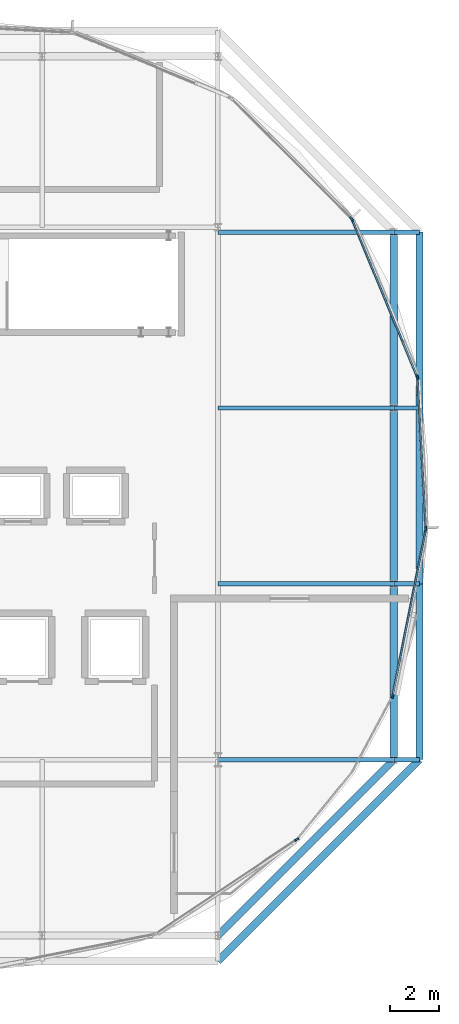
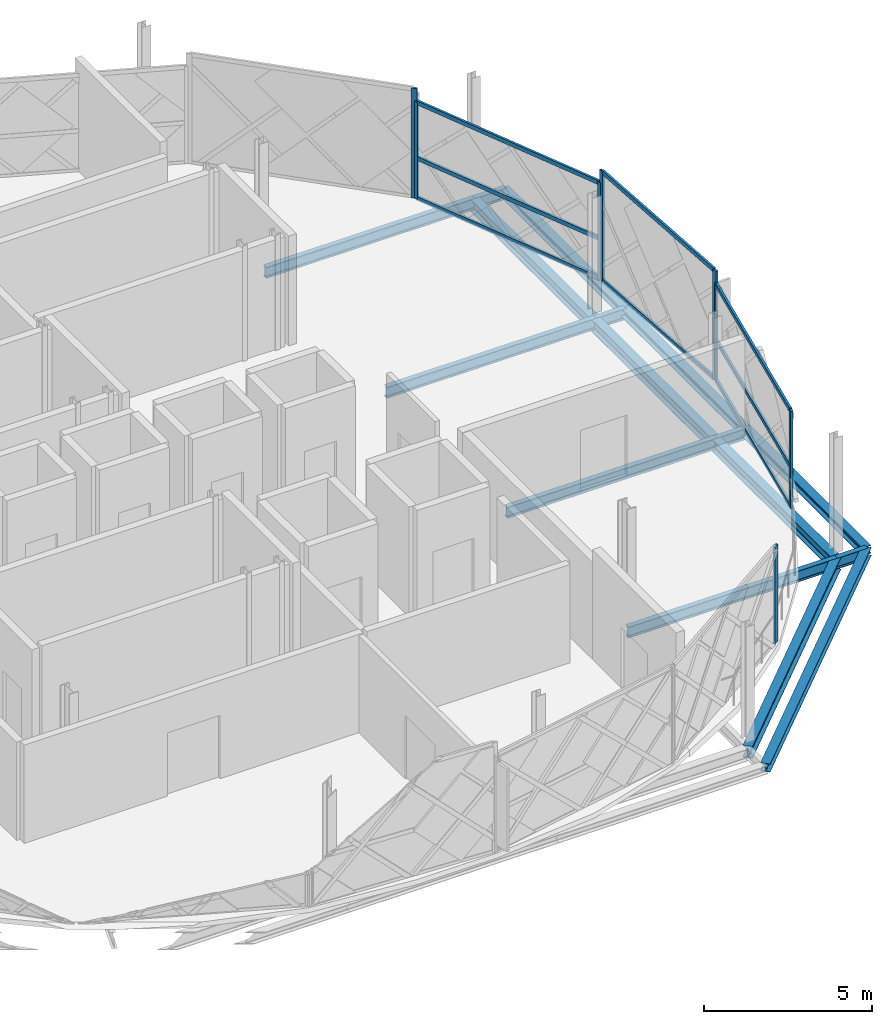
# One storey, part 7 of 15: 16 beams, 16 members, 5 elements without a shape of their own.
"""IFC4 building model written with IfcOpenShell, lengths in metres."""

import ifcopenshell
import ifcopenshell.guid

model = None  # the IFC model being written
_history = None  # IfcOwnerHistory: only IFC2X3 demands one
_inside = {}  # id of a spatial element -> (the spatial element, [elements in it])
_under = {}  # id of a project, library or spatial element -> (it, [spatial elements below it])
_declared = {}  # id of a project -> (the project, [libraries it declares])
_typed = {}  # id of a type object -> (the type object, [elements of that type])
_made_of = {}  # id of a material, layer set ... -> (it, [elements and type objects made of it])


def new_model(schema):
    """Start an empty IFC model of exactly this schema.

    Asked for "IFC4X3", IfcOpenShell would pick the latest addendum, in which some entities
    have other attributes; the version numbers below select the first issue.
    IFC2X3 requires an IfcOwnerHistory on every rooted entity: one is made here for all.
    """
    global model, _history
    if schema == "IFC4X3":
        model = ifcopenshell.file(schema_version=(4, 3, 0, 0))
    else:
        model = ifcopenshell.file(schema=schema)
    _inside.clear()
    _under.clear()
    _declared.clear()
    _typed.clear()
    _made_of.clear()
    _history = None
    if model.schema == "IFC2X3":
        org = make("IfcOrganization", Name="unknown")
        user = make(
            "IfcPersonAndOrganization",
            ThePerson=make("IfcPerson", FamilyName="unknown"),
            TheOrganization=org,
        )
        app = make(
            "IfcApplication",
            ApplicationDeveloper=org,
            Version="unknown",
            ApplicationFullName="unknown",
            ApplicationIdentifier="unknown",
        )
        _history = make(
            "IfcOwnerHistory",
            OwningUser=user,
            OwningApplication=app,
            ChangeAction="ADDED",
            CreationDate=0,
        )
    return model


def make(cls, **values):
    """One entity of the class cls with the attributes given. An attribute that is None is left unset."""
    return model.create_entity(
        cls, **{name: value for name, value in values.items() if value is not None}
    )


def rooted(cls, **values):
    """An entity with a GlobalId (a new one), such as an element, a storey or a relation."""
    return make(cls, GlobalId=ifcopenshell.guid.new(), OwnerHistory=_history, **values)


def si_unit(unit_type, name, prefix=None):
    """IfcSIUnit, for example si_unit("LENGTHUNIT", "METRE", prefix="MILLI")."""
    return make("IfcSIUnit", UnitType=unit_type, Prefix=prefix, Name=name)


def assignment(units):
    """IfcUnitAssignment: the units of a project."""
    return None if units is None else make("IfcUnitAssignment", Units=units)


def point(xyz):
    """IfcCartesianPoint."""
    return None if xyz is None else make("IfcCartesianPoint", Coordinates=xyz)


def direction(xyz):
    """IfcDirection."""
    return None if xyz is None else make("IfcDirection", DirectionRatios=xyz)


def frame(location, z_axis=None, x_axis=None):
    """IfcAxis2Placement3D, a coordinate frame: its origin and axes. An axis left out is left unset."""
    return make(
        "IfcAxis2Placement3D",
        Location=point(location),
        Axis=direction(z_axis),
        RefDirection=direction(x_axis),
    )


def frame_2d(location, x_axis=None):
    """IfcAxis2Placement2D, a coordinate frame in the plane: its origin and x axis."""
    return make(
        "IfcAxis2Placement2D", Location=point(location), RefDirection=direction(x_axis)
    )


def origin():
    """The frame at (0, 0, 0) with its axes left unset."""
    return frame((0.0, 0.0, 0.0))


def origin_2d():
    """The frame at (0, 0) in the plane with its x axis left unset."""
    return frame_2d((0.0, 0.0))


def place(relative_to, where):
    """IfcLocalPlacement: puts the frame where relative to a parent placement (None: the world)."""
    return make(
        "IfcLocalPlacement", PlacementRelTo=relative_to, RelativePlacement=where
    )


def context(
    kind, dimensions, precision=None, world=None, true_north=None, identifier=None
):
    """IfcGeometricRepresentationContext, for example the 3D "Model" context."""
    return make(
        "IfcGeometricRepresentationContext",
        ContextIdentifier=identifier,
        ContextType=kind,
        CoordinateSpaceDimension=dimensions,
        Precision=precision,
        WorldCoordinateSystem=world,
        TrueNorth=true_north,
    )


def subcontext(parent, identifier, kind, view, scale=None):
    """IfcGeometricRepresentationSubContext, for example "Body" below "Model"."""
    return make(
        "IfcGeometricRepresentationSubContext",
        ContextIdentifier=identifier,
        ContextType=kind,
        ParentContext=parent,
        TargetScale=scale,
        TargetView=view,
    )


def project(units=None, contexts=None):
    """IfcProject with its units and contexts."""
    return rooted(
        "IfcProject",
        Name="project",
        RepresentationContexts=contexts,
        UnitsInContext=assignment(units),
    )


def spatial(cls, under=None, at=None, **own):
    """A site, building, storey or space (cls), placed at a placement, below another one or the project."""
    s = rooted(cls, ObjectPlacement=at, **own)
    if under is not None:
        _under.setdefault(under.id(), (under, []))[1].append(s)
    return s


def profile(cls, at=None, kind="AREA", **sizes):
    """A parametric profile (cls). Its sizes go by their IFC names, for example OverallWidth=200.0."""
    return make(cls, ProfileType=kind, Position=at, **sizes)


def rectangle(**sizes):
    """IfcRectangleProfileDef."""
    return profile("IfcRectangleProfileDef", **sizes)


def i_section(**sizes):
    """IfcIShapeProfileDef."""
    return profile("IfcIShapeProfileDef", **sizes)


def extrude(swept, where, along, depth):
    """IfcExtrudedAreaSolid: the profile swept, set in the frame where, extruded along a direction by depth."""
    return make(
        "IfcExtrudedAreaSolid",
        SweptArea=swept,
        Position=where,
        ExtrudedDirection=direction(along),
        Depth=depth,
    )


def shape(context_of_items, identifier, shape_type, items):
    """IfcShapeRepresentation: the items that make up one representation, for example the "Body"."""
    return make(
        "IfcShapeRepresentation",
        ContextOfItems=context_of_items,
        RepresentationIdentifier=identifier,
        RepresentationType=shape_type,
        Items=items,
    )


def material(Name=None, Category=None):
    """IfcMaterial."""
    return make("IfcMaterial", Name=Name, Category=Category)


def layer(
    of_material, thickness, ventilated=None, Name=None, Category=None, Priority=None
):
    """IfcMaterialLayer: one layer of a wall or slab, of a material (None: an air gap)."""
    return make(
        "IfcMaterialLayer",
        Material=of_material,
        LayerThickness=thickness,
        IsVentilated=ventilated,
        Name=Name,
        Category=Category,
        Priority=Priority,
    )


def layer_set(layers, Name=None):
    """IfcMaterialLayerSet."""
    return make("IfcMaterialLayerSet", MaterialLayers=layers, LayerSetName=Name)


def material_profile(
    of_material, cross_section, Name=None, Category=None, Priority=None
):
    """IfcMaterialProfile: a cross section and its material."""
    return make(
        "IfcMaterialProfile",
        Name=Name,
        Material=of_material,
        Profile=cross_section,
        Priority=Priority,
        Category=Category,
    )


def profile_set(profiles, Name=None, composite=None):
    """IfcMaterialProfileSet."""
    return make(
        "IfcMaterialProfileSet",
        Name=Name,
        MaterialProfiles=profiles,
        CompositeProfile=composite,
    )


def made_of(thing, what):
    """Note that an element or type object is made of a material, layer set ...; save() writes the relation."""
    if what is not None:
        _made_of.setdefault(what.id(), (what, []))[1].append(thing)
    return thing


def type_object(cls, material=None, **own):
    """A type object (cls), such as IfcWallType, which elements share."""
    return made_of(rooted(cls, **own), material)


def element(
    cls,
    number,
    at=None,
    inside=None,
    cuts=None,
    type_object=None,
    material=None,
    context=None,
    identifier="Body",
    shape_type=None,
    held_by="IfcProductDefinitionShape",
    body=None,
    shapes=None,
    **own,
):
    """One element of the class cls, such as IfcWall. Its Tag is "e" and its number.

    at: its placement. inside: the storey or other place that contains it. cuts: it is an
    opening in that element (IfcRelVoidsElement). A single representation is given by context,
    identifier, shape_type and body (its items); several are given by shapes. held_by: the class
    of the entity that holds the representations. save() writes the other relations.
    """
    e = rooted(cls, Tag="e%d" % number, ObjectPlacement=at, **own)
    if body is not None:
        shapes = [shape(context, identifier, shape_type, body)]
    if shapes is not None:
        e.Representation = make(held_by, Representations=shapes)
    if inside is not None:
        _inside.setdefault(inside.id(), (inside, []))[1].append(e)
    if cuts is not None:
        rooted(
            "IfcRelVoidsElement", RelatingBuildingElement=cuts, RelatedOpeningElement=e
        )
    if type_object is not None:
        _typed.setdefault(type_object.id(), (type_object, []))[1].append(e)
    return made_of(e, material)


def aggregate(whole, parts):
    """IfcRelAggregates: a whole, such as a stair, and the parts it consists of."""
    return rooted("IfcRelAggregates", RelatingObject=whole, RelatedObjects=parts)


def save(model, path):
    """Write the relations noted so far, then the file.

    IfcRelAggregates (storeys below a building ...), IfcRelContainedInSpatialStructure (elements
    in a storey), IfcRelDefinesByType, IfcRelAssociatesMaterial and IfcRelDeclares: one each for
    every whole, place, type object, material and project.
    """
    for whole, parts in _under.values():
        aggregate(whole, parts)
    for where, things in _inside.values():
        rooted(
            "IfcRelContainedInSpatialStructure",
            RelatedElements=things,
            RelatingStructure=where,
        )
    for kind, things in _typed.values():
        rooted("IfcRelDefinesByType", RelatedObjects=things, RelatingType=kind)
    for what, things in _made_of.values():
        rooted("IfcRelAssociatesMaterial", RelatedObjects=things, RelatingMaterial=what)
    for by, libraries in _declared.values():
        rooted("IfcRelDeclares", RelatingContext=by, RelatedDefinitions=libraries)
    model.write(path)


model = new_model("IFC4")

# Units and contexts
model_context = context("Model", 3, precision=1e-05, world=origin(), true_north=direction((0.0, 1.0)))
body_context = subcontext(model_context, "Body", "Model", "MODEL_VIEW")
ifc_project = project(units=[si_unit("LENGTHUNIT", "METRE"), si_unit("AREAUNIT", "SQUARE_METRE"), si_unit("VOLUMEUNIT", "CUBIC_METRE"), si_unit("PLANEANGLEUNIT", "RADIAN"), si_unit("MASSUNIT", "GRAM", prefix="KILO")], contexts=[model_context])

# Site, building, storey
site_placement = place(None, origin())
site = spatial("IfcSite", under=ifc_project, at=site_placement, CompositionType="ELEMENT")
building_placement = place(site_placement, origin())
building = spatial("IfcBuilding", under=site, at=building_placement, Name="Zevrakil Square Congress Hotel", CompositionType="ELEMENT")
storey_placement = place(building_placement, frame((0.0, 0.0, 41.89990234375)))
storey = spatial("IfcBuildingStorey", under=building, at=storey_placement, Name="L12", CompositionType="ELEMENT", Elevation=41.89990234375)

# Beams
ifc_material_1 = material(Name="Steel S355", Category="steel")
ifc_material_profile_1 = material_profile(ifc_material_1, i_section(OverallWidth=0.300048828125, OverallDepth=0.43994140625, WebThickness=0.011474609375, FlangeThickness=0.02099609375, FilletRadius=0.027099609375, at=origin_2d()), Name="HEA 450")
ifc_profile_set_1 = profile_set([ifc_material_profile_1], Name="Steel S355")
beam_type_1 = type_object("IfcBeamType", Name="BM-HEA450", PredefinedType="BEAM", material=ifc_profile_set_1)
beam_1_placement = place(storey_placement, frame((156.0, 9.60009765625, -0.469970703125), z_axis=(0.707106781187, 0.707106781187, 0.0), x_axis=(-0.707106781187, 0.707106781187, 0.0)))
element("IfcBeam", 1, at=beam_1_placement, inside=storey, type_object=beam_type_1, Name="L12 drum ring girder DRB-04", PredefinedType="BEAM", context=body_context, shape_type="SweptSolid", body=[
    extrude(i_section(OverallWidth=0.300048828125, OverallDepth=0.43994140625, WebThickness=0.011474609375, FlangeThickness=0.02099609375, FilletRadius=0.027099609375, at=origin_2d()), origin(), (0.0, 0.0, 1.0), 10.182373046875),
])
for number, where, z_axis, x_axis, name in (
    (2, (163.199951171875, 16.800048828125, -0.469970703125), (0.0, 1.0, 0.0), (-1.0, 0.0, 0.0), "L12 drum ring girder DRB-05"),
    (3, (163.199951171875, 24.0, -0.469970703125), (0.0, 1.0, 0.0), (-1.0, 0.0, 0.0), "L12 drum ring girder DRB-06"),
    (4, (163.199951171875, 31.199951171875, -0.469970703125), (0.0, 1.0, 0.0), (-1.0, 0.0, 0.0), "L12 drum ring girder DRB-07"),
):
    element("IfcBeam", number, at=place(storey_placement, frame(where, z_axis=z_axis, x_axis=x_axis)), inside=storey, type_object=beam_type_1, Name=name, PredefinedType="BEAM", context=body_context, shape_type="SweptSolid", body=[
        extrude(i_section(OverallWidth=0.300048828125, OverallDepth=0.43994140625, WebThickness=0.011474609375, FlangeThickness=0.02099609375, FilletRadius=0.027099609375, at=origin_2d()), origin(), (0.0, 0.0, 1.0), 7.199951171875),
    ])

# Curtain wall, members
ifc_material_2 = material(Name="Aluminium Anodised Bronze", Category="aluminium")
ifc_layer_1 = layer(ifc_material_2, 0.179931640625)
ifc_layer_set_1 = layer_set([ifc_layer_1], Name="Aluminium Anodised Bronze")
curtain_wall_type_1 = type_object("IfcCurtainWallType", Name="CW-L12-720", PredefinedType="USERDEFINED", material=ifc_layer_set_1)
curtain_wall_1_placement = place(storey_placement, origin())
curtain_wall_1 = element("IfcCurtainWall", 5, at=curtain_wall_1_placement, inside=storey, type_object=curtain_wall_type_1, Name="L12 diamond curtain wall CW-L12-0304", ObjectType="GLAZED CURTAIN WALL", PredefinedType="USERDEFINED")
ifc_material_3 = material(Name="Aluminium Anodised Bronze", Category="aluminium")
ifc_material_profile_2 = material_profile(ifc_material_3, rectangle(XDim=0.074951171875, YDim=0.14990234375, at=origin_2d()), Name="ALU 75x150")
ifc_profile_set_2 = profile_set([ifc_material_profile_2], Name="Aluminium Anodised Bronze")
member_type_1 = type_object("IfcMemberType", Name="CWM-ALU75x150", PredefinedType="USERDEFINED", material=ifc_profile_set_2)
member_1_placement = place(storey_placement, frame((163.156005859375, 19.431640625, 0.030029296875), z_axis=(0.195079615704, 0.98078740996, 0.0), x_axis=(-0.98078740996, 0.195079615704, 0.0)))
member_1 = element("IfcMember", 6, at=member_1_placement, type_object=member_type_1, Name="CW-142 transom 1.1", ObjectType="TRANSOM", PredefinedType="USERDEFINED", context=body_context, shape_type="SweptSolid", body=[
    extrude(rectangle(XDim=0.074951171875, YDim=0.14990234375, at=origin_2d()), origin(), (0.0, 0.0, 1.0), 6.8857421875),
])
member_2_placement = place(storey_placement, frame((163.156005859375, 19.431640625, 1.48681640625), z_axis=(0.195079615704, 0.98078740996, 0.0), x_axis=(-0.98078740996, 0.195079615704, 0.0)))
member_2 = element("IfcMember", 7, at=member_2_placement, type_object=member_type_1, Name="CW-142 transom 1.2", ObjectType="TRANSOM", PredefinedType="USERDEFINED", context=body_context, shape_type="SweptSolid", body=[
    extrude(rectangle(XDim=0.074951171875, YDim=0.14990234375, at=origin_2d()), origin(), (0.0, 0.0, 1.0), 6.8857421875),
])
member_3_placement = place(storey_placement, frame((163.156005859375, 19.431640625, 3.510009765625), z_axis=(0.195079615704, 0.98078740996, 0.0), x_axis=(-0.98078740996, 0.195079615704, 0.0)))
member_3 = element("IfcMember", 8, at=member_3_placement, type_object=member_type_1, Name="CW-142 transom 1.3", ObjectType="TRANSOM", PredefinedType="USERDEFINED", context=body_context, shape_type="SweptSolid", body=[
    extrude(rectangle(XDim=0.074951171875, YDim=0.14990234375, at=origin_2d()), origin(), (0.0, 0.0, 1.0), 6.8857421875),
])

ifc_material_4 = material(Name="Aluminium Anodised Bronze", Category="aluminium")
ifc_layer_2 = layer(ifc_material_4, 0.179931640625)
ifc_layer_set_2 = layer_set([ifc_layer_2], Name="Aluminium Anodised Bronze")
curtain_wall_type_2 = type_object("IfcCurtainWallType", Name="CW-L12-640", PredefinedType="USERDEFINED", material=ifc_layer_set_2)
curtain_wall_2_placement = place(storey_placement, origin())
curtain_wall_2 = element("IfcCurtainWall", 9, at=curtain_wall_2_placement, inside=storey, type_object=curtain_wall_type_2, Name="L12 diamond curtain wall CW-L12-0305", ObjectType="GLAZED CURTAIN WALL", PredefinedType="USERDEFINED")
member_4_placement = place(storey_placement, frame((164.507568359375, 26.303955078125, 0.030029296875), z_axis=(-0.055392491503, 0.998464657304, 0.0), x_axis=(-0.998464657304, -0.055392491503, 0.0)))
member_4 = element("IfcMember", 10, at=member_4_placement, type_object=member_type_1, Name="CW-141 transom 1.1", ObjectType="TRANSOM", PredefinedType="USERDEFINED", context=body_context, shape_type="SweptSolid", body=[
    extrude(rectangle(XDim=0.074951171875, YDim=0.14990234375, at=origin_2d()), origin(), (0.0, 0.0, 1.0), 6.104248046875),
])
member_5_placement = place(storey_placement, frame((164.507568359375, 26.303955078125, 3.965087890625), z_axis=(-0.055392491503, 0.998464657304, 0.0), x_axis=(-0.998464657304, -0.055392491503, 0.0)))
member_5 = element("IfcMember", 11, at=member_5_placement, type_object=member_type_1, Name="CW-141 transom 1.2", ObjectType="TRANSOM", PredefinedType="USERDEFINED", context=body_context, shape_type="SweptSolid", body=[
    extrude(rectangle(XDim=0.074951171875, YDim=0.14990234375, at=origin_2d()), origin(), (0.0, 0.0, 1.0), 6.104248046875),
])

curtain_wall_3_placement = place(storey_placement, origin())
curtain_wall_3 = element("IfcCurtainWall", 12, at=curtain_wall_3_placement, inside=storey, type_object=curtain_wall_type_1, Name="L12 diamond curtain wall CW-L12-0306", ObjectType="GLAZED CURTAIN WALL", PredefinedType="USERDEFINED")
member_6_placement = place(storey_placement, frame((164.14306640625, 32.51416015625, 0.030029296875), z_axis=(-0.38266597044, 0.923886765284, 0.0), x_axis=(-0.923886765284, -0.38266597044, 0.0)))
member_6 = element("IfcMember", 13, at=member_6_placement, type_object=member_type_1, Name="CW-142 transom 1.1", ObjectType="TRANSOM", PredefinedType="USERDEFINED", context=body_context, shape_type="SweptSolid", body=[
    extrude(rectangle(XDim=0.074951171875, YDim=0.14990234375, at=origin_2d()), origin(), (0.0, 0.0, 1.0), 6.885986328125),
])
member_7_placement = place(storey_placement, frame((164.14306640625, 32.51416015625, 1.48681640625), z_axis=(-0.38266597044, 0.923886765284, 0.0), x_axis=(-0.923886765284, -0.38266597044, 0.0)))
member_7 = element("IfcMember", 14, at=member_7_placement, type_object=member_type_1, Name="CW-142 transom 1.2", ObjectType="TRANSOM", PredefinedType="USERDEFINED", context=body_context, shape_type="SweptSolid", body=[
    extrude(rectangle(XDim=0.074951171875, YDim=0.14990234375, at=origin_2d()), origin(), (0.0, 0.0, 1.0), 6.885986328125),
])
member_8_placement = place(storey_placement, frame((164.14306640625, 32.51416015625, 3.510009765625), z_axis=(-0.38266597044, 0.923886765284, 0.0), x_axis=(-0.923886765284, -0.38266597044, 0.0)))
member_8 = element("IfcMember", 15, at=member_8_placement, type_object=member_type_1, Name="CW-142 transom 1.3", ObjectType="TRANSOM", PredefinedType="USERDEFINED", context=body_context, shape_type="SweptSolid", body=[
    extrude(rectangle(XDim=0.074951171875, YDim=0.14990234375, at=origin_2d()), origin(), (0.0, 0.0, 1.0), 6.885986328125),
])

# Curtain wall, member
curtain_wall_4_placement = place(storey_placement, origin())
curtain_wall_4 = element("IfcCurtainWall", 16, at=curtain_wall_4_placement, inside=storey, type_object=curtain_wall_type_1, Name="L12 diamond curtain wall CW-L12-0303", ObjectType="GLAZED CURTAIN WALL", PredefinedType="USERDEFINED")
ifc_material_5 = material(Name="Aluminium Anodised Bronze", Category="aluminium")
ifc_material_profile_3 = material_profile(ifc_material_5, rectangle(XDim=0.074951171875, YDim=0.179931640625, at=origin_2d()), Name="ALU 75x180")
ifc_profile_set_3 = profile_set([ifc_material_profile_3], Name="Aluminium Anodised Bronze")
member_type_2 = type_object("IfcMemberType", Name="CWM-ALU75x180", PredefinedType="MULLION", material=ifc_profile_set_3)
member_9_placement = place(storey_placement, frame((159.22705078125, 13.53125, 0.0), z_axis=(0.0, 0.0, 1.0), x_axis=(-0.555576098128, 0.831465693332, 0.0)))
member_9 = element("IfcMember", 17, at=member_9_placement, type_object=member_type_2, Name="CW-142 mullion 2", PredefinedType="MULLION", context=body_context, shape_type="SweptSolid", body=[
    extrude(rectangle(XDim=0.074951171875, YDim=0.179931640625, at=origin_2d()), origin(), (0.0, 0.0, 1.0), 3.5400390625),
])
aggregate(curtain_wall_4, [member_9])

# Member
member_10_placement = place(storey_placement, frame((163.150146484375, 19.40234375, 0.0), z_axis=(0.0, 0.0, 1.0), x_axis=(-0.980786557708, 0.195083900459, 0.0)))
member_10 = element("IfcMember", 18, at=member_10_placement, type_object=member_type_2, Name="CW-142 mullion 1", PredefinedType="MULLION", context=body_context, shape_type="SweptSolid", body=[
    extrude(rectangle(XDim=0.074951171875, YDim=0.179931640625, at=origin_2d()), origin(), (0.0, 0.0, 1.0), 3.5400390625),
])

member_11_placement = place(storey_placement, frame((164.505126953125, 26.214599609375, 0.0), z_axis=(0.0, 0.0, 1.0), x_axis=(-0.980786557708, 0.195083900459, 0.0)))
member_11 = element("IfcMember", 19, at=member_11_placement, type_object=member_type_2, Name="CW-142 mullion 2", PredefinedType="MULLION", context=body_context, shape_type="SweptSolid", body=[
    extrude(rectangle(XDim=0.074951171875, YDim=0.179931640625, at=origin_2d()), origin(), (0.0, 0.0, 1.0), 3.5400390625),
])

aggregate(curtain_wall_1, [member_10, member_11, member_1, member_2, member_3])

member_12_placement = place(storey_placement, frame((164.50927734375, 26.27392578125, 0.0), z_axis=(0.0, 0.0, 1.0), x_axis=(-0.998462725099, -0.055427309038, 0.0)))
member_12 = element("IfcMember", 20, at=member_12_placement, type_object=member_type_2, Name="CW-141 mullion 1", PredefinedType="MULLION", context=body_context, shape_type="SweptSolid", body=[
    extrude(rectangle(XDim=0.074951171875, YDim=0.179931640625, at=origin_2d()), origin(), (0.0, 0.0, 1.0), 3.9951171875),
])

member_13_placement = place(storey_placement, frame((164.167724609375, 32.428955078125, 0.0), z_axis=(0.0, 0.0, 1.0), x_axis=(-0.998462725099, -0.055427309038, 0.0)))
member_13 = element("IfcMember", 21, at=member_13_placement, type_object=member_type_2, Name="CW-141 mullion 2", PredefinedType="MULLION", context=body_context, shape_type="SweptSolid", body=[
    extrude(rectangle(XDim=0.074951171875, YDim=0.179931640625, at=origin_2d()), origin(), (0.0, 0.0, 1.0), 3.9951171875),
])

aggregate(curtain_wall_2, [member_12, member_13, member_4, member_5])

member_14_placement = place(storey_placement, frame((164.154541015625, 32.486572265625, 0.0), z_axis=(0.0, 0.0, 1.0), x_axis=(-0.92387939537, -0.382683763454, 0.0)))
member_14 = element("IfcMember", 22, at=member_14_placement, type_object=member_type_2, Name="CW-142 mullion 1", PredefinedType="MULLION", context=body_context, shape_type="SweptSolid", body=[
    extrude(rectangle(XDim=0.074951171875, YDim=0.179931640625, at=origin_2d()), origin(), (0.0, 0.0, 1.0), 3.5400390625),
])

member_15_placement = place(storey_placement, frame((161.49658203125, 38.903564453125, 0.0), z_axis=(0.0, 0.0, 1.0), x_axis=(-0.92387939537, -0.382683763454, 0.0)))
member_15 = element("IfcMember", 23, at=member_15_placement, type_object=member_type_2, Name="CW-142 mullion 2", PredefinedType="MULLION", context=body_context, shape_type="SweptSolid", body=[
    extrude(rectangle(XDim=0.074951171875, YDim=0.179931640625, at=origin_2d()), origin(), (0.0, 0.0, 1.0), 3.5400390625),
])

aggregate(curtain_wall_3, [member_14, member_15, member_6, member_7, member_8])

# Curtain wall, member
curtain_wall_5_placement = place(storey_placement, origin())
curtain_wall_5 = element("IfcCurtainWall", 24, at=curtain_wall_5_placement, inside=storey, type_object=curtain_wall_type_1, Name="L12 diamond curtain wall CW-L12-0307", ObjectType="GLAZED CURTAIN WALL", PredefinedType="USERDEFINED")
member_16_placement = place(storey_placement, frame((161.4638671875, 38.952392578125, 0.0), z_axis=(0.0, 0.0, 1.0), x_axis=(-0.707106781187, -0.707106781187, 0.0)))
member_16 = element("IfcMember", 25, at=member_16_placement, type_object=member_type_2, Name="CW-142 mullion 1", PredefinedType="MULLION", context=body_context, shape_type="SweptSolid", body=[
    extrude(rectangle(XDim=0.074951171875, YDim=0.179931640625, at=origin_2d()), origin(), (0.0, 0.0, 1.0), 3.9951171875),
])
aggregate(curtain_wall_5, [member_16])

# Beams
ifc_material_6 = material(Name="Steel S355", Category="steel")
ifc_material_profile_4 = material_profile(ifc_material_6, i_section(OverallWidth=0.179931640625, OverallDepth=0.39990234375, WebThickness=0.008544921875, FlangeThickness=0.013427734375, FilletRadius=0.02099609375, at=origin_2d()), Name="IPE 400")
ifc_profile_set_4 = profile_set([ifc_material_profile_4], Name="Steel S355")
beam_type_2 = type_object("IfcBeamType", Name="JST-IPE400", PredefinedType="JOIST", material=ifc_profile_set_4)
beam_2_placement = place(storey_placement, frame((156.0, 16.800048828125, -0.449951171875), z_axis=(1.0, 0.0, 0.0), x_axis=(0.0, 1.0, 0.0)))
element("IfcBeam", 26, at=beam_2_placement, inside=storey, type_object=beam_type_2, Name="L12 drum radial floor beam DRI-05", PredefinedType="JOIST", context=body_context, shape_type="SweptSolid", body=[
    extrude(i_section(OverallWidth=0.179931640625, OverallDepth=0.39990234375, WebThickness=0.008544921875, FlangeThickness=0.013427734375, FilletRadius=0.02099609375, at=origin_2d()), origin(), (0.0, 0.0, 1.0), 7.199951171875),
])
beam_3_placement = place(storey_placement, frame((163.199951171875, 16.800048828125, -0.449951171875), z_axis=(1.0, 0.0, 0.0), x_axis=(0.0, 1.0, 0.0)))
element("IfcBeam", 27, at=beam_3_placement, inside=storey, type_object=beam_type_2, Name="L12 drum radial edge cantilever beam DRO-05", PredefinedType="JOIST", context=body_context, shape_type="SweptSolid", body=[
    extrude(i_section(OverallWidth=0.179931640625, OverallDepth=0.39990234375, WebThickness=0.008544921875, FlangeThickness=0.013427734375, FilletRadius=0.02099609375, at=origin_2d()), origin(), (0.0, 0.0, 1.0), 1.051025390625),
])
beam_4_placement = place(storey_placement, frame((156.0, 24.0, -0.449951171875), z_axis=(1.0, 0.0, 0.0), x_axis=(0.0, 1.0, 0.0)))
element("IfcBeam", 28, at=beam_4_placement, inside=storey, type_object=beam_type_2, Name="L12 drum radial floor beam DRI-06", PredefinedType="JOIST", context=body_context, shape_type="SweptSolid", body=[
    extrude(i_section(OverallWidth=0.179931640625, OverallDepth=0.39990234375, WebThickness=0.008544921875, FlangeThickness=0.013427734375, FilletRadius=0.02099609375, at=origin_2d()), origin(), (0.0, 0.0, 1.0), 7.199951171875),
])
beam_5_placement = place(storey_placement, frame((163.199951171875, 24.0, -0.449951171875), z_axis=(1.0, 0.0, 0.0), x_axis=(0.0, 1.0, 0.0)))
element("IfcBeam", 29, at=beam_5_placement, inside=storey, type_object=beam_type_2, Name="L12 drum radial edge cantilever beam DRO-06", PredefinedType="JOIST", context=body_context, shape_type="SweptSolid", body=[
    extrude(i_section(OverallWidth=0.179931640625, OverallDepth=0.39990234375, WebThickness=0.008544921875, FlangeThickness=0.013427734375, FilletRadius=0.02099609375, at=origin_2d()), origin(), (0.0, 0.0, 1.0), 1.051025390625),
])
beam_6_placement = place(storey_placement, frame((156.0, 31.199951171875, -0.449951171875), z_axis=(1.0, 0.0, 0.0), x_axis=(0.0, 1.0, 0.0)))
element("IfcBeam", 30, at=beam_6_placement, inside=storey, type_object=beam_type_2, Name="L12 drum radial floor beam DRI-07", PredefinedType="JOIST", context=body_context, shape_type="SweptSolid", body=[
    extrude(i_section(OverallWidth=0.179931640625, OverallDepth=0.39990234375, WebThickness=0.008544921875, FlangeThickness=0.013427734375, FilletRadius=0.02099609375, at=origin_2d()), origin(), (0.0, 0.0, 1.0), 7.199951171875),
])
beam_7_placement = place(storey_placement, frame((163.199951171875, 31.199951171875, -0.449951171875), z_axis=(1.0, 0.0, 0.0), x_axis=(0.0, 1.0, 0.0)))
element("IfcBeam", 31, at=beam_7_placement, inside=storey, type_object=beam_type_2, Name="L12 drum radial edge cantilever beam DRO-07", PredefinedType="JOIST", context=body_context, shape_type="SweptSolid", body=[
    extrude(i_section(OverallWidth=0.179931640625, OverallDepth=0.39990234375, WebThickness=0.008544921875, FlangeThickness=0.013427734375, FilletRadius=0.02099609375, at=origin_2d()), origin(), (0.0, 0.0, 1.0), 1.051025390625),
])
beam_8_placement = place(storey_placement, frame((156.0, 38.39990234375, -0.449951171875), z_axis=(1.0, 0.0, 0.0), x_axis=(0.0, 1.0, 0.0)))
element("IfcBeam", 32, at=beam_8_placement, inside=storey, type_object=beam_type_2, Name="L12 drum radial floor beam DRI-08", PredefinedType="JOIST", context=body_context, shape_type="SweptSolid", body=[
    extrude(i_section(OverallWidth=0.179931640625, OverallDepth=0.39990234375, WebThickness=0.008544921875, FlangeThickness=0.013427734375, FilletRadius=0.02099609375, at=origin_2d()), origin(), (0.0, 0.0, 1.0), 7.199951171875),
])
beam_9_placement = place(storey_placement, frame((163.199951171875, 38.39990234375, -0.449951171875), z_axis=(1.0, 0.0, 0.0), x_axis=(0.0, 1.0, 0.0)))
element("IfcBeam", 33, at=beam_9_placement, inside=storey, type_object=beam_type_2, Name="L12 drum radial edge cantilever beam DRO-08", PredefinedType="JOIST", context=body_context, shape_type="SweptSolid", body=[
    extrude(i_section(OverallWidth=0.179931640625, OverallDepth=0.39990234375, WebThickness=0.008544921875, FlangeThickness=0.013427734375, FilletRadius=0.02099609375, at=origin_2d()), origin(), (0.0, 0.0, 1.0), 1.051025390625),
])
ifc_material_7 = material(Name="Steel S355", Category="steel")
ifc_material_profile_5 = material_profile(ifc_material_7, i_section(OverallWidth=0.300048828125, OverallDepth=0.300048828125, WebThickness=0.010986328125, FlangeThickness=0.01904296875, FilletRadius=0.027099609375, at=origin_2d()), Name="HEB 300")
ifc_profile_set_5 = profile_set([ifc_material_profile_5], Name="Steel S355")
beam_type_3 = type_object("IfcBeamType", Name="SPD-RHS250", PredefinedType="SPANDREL", material=ifc_profile_set_5)
beam_10_placement = place(storey_placement, frame((156.0, 8.549072265625, -0.39990234375), z_axis=(0.707106781187, 0.707106781187, 0.0), x_axis=(-0.707106781187, 0.707106781187, 0.0)))
element("IfcBeam", 34, at=beam_10_placement, inside=storey, type_object=beam_type_3, Name="L12 drum edge spandrel beam DSP-03", PredefinedType="SPANDREL", context=body_context, shape_type="SweptSolid", body=[
    extrude(i_section(OverallWidth=0.300048828125, OverallDepth=0.300048828125, WebThickness=0.010986328125, FlangeThickness=0.01904296875, FilletRadius=0.027099609375, at=origin_2d()), origin(), (0.0, 0.0, 1.0), 11.668701171875),
])
for number, where, z_axis, x_axis, name in (
    (35, (164.2509765625, 16.800048828125, -0.39990234375), (0.0, 1.0, 0.0), (-1.0, 0.0, 0.0), "L12 drum edge spandrel beam DSP-04"),
    (36, (164.2509765625, 24.0, -0.39990234375), (0.0, 1.0, 0.0), (-1.0, 0.0, 0.0), "L12 drum edge spandrel beam DSP-05"),
    (37, (164.2509765625, 31.199951171875, -0.39990234375), (0.0, 1.0, 0.0), (-1.0, 0.0, 0.0), "L12 drum edge spandrel beam DSP-06"),
):
    element("IfcBeam", number, at=place(storey_placement, frame(where, z_axis=z_axis, x_axis=x_axis)), inside=storey, type_object=beam_type_3, Name=name, PredefinedType="SPANDREL", context=body_context, shape_type="SweptSolid", body=[
        extrude(i_section(OverallWidth=0.300048828125, OverallDepth=0.300048828125, WebThickness=0.010986328125, FlangeThickness=0.01904296875, FilletRadius=0.027099609375, at=origin_2d()), origin(), (0.0, 0.0, 1.0), 7.199951171875),
    ])

save(model, "model.ifc")
